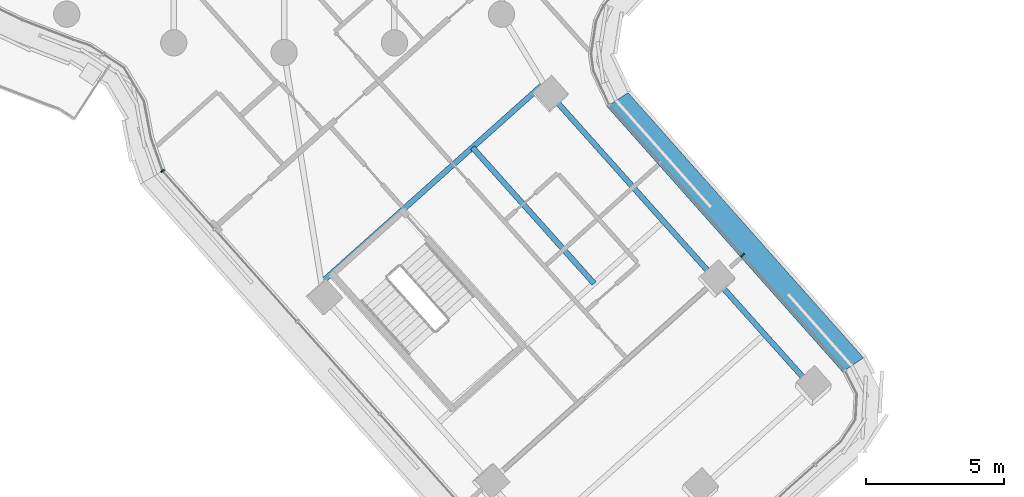
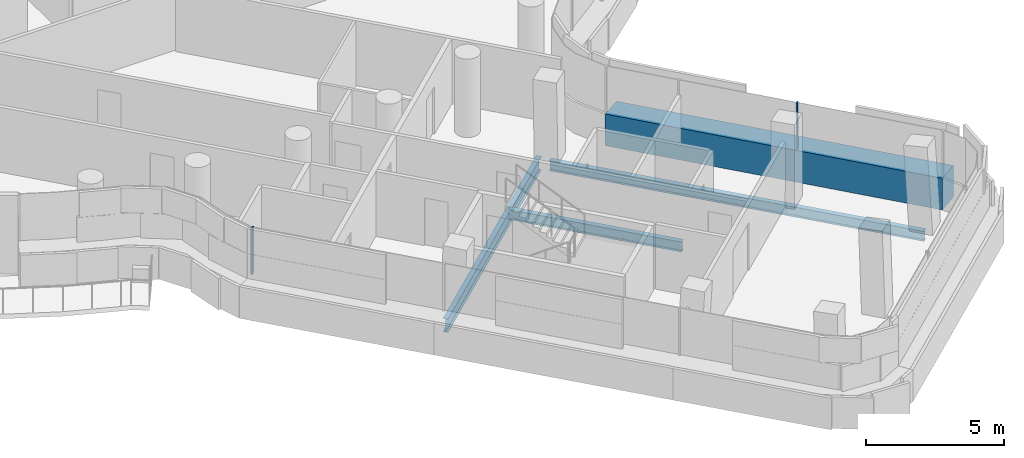
# One storey, part 5 of 33: 4 beams, 3 members, 2 elements without a shape of their own.
"""IFC4 building model written with IfcOpenShell, lengths in metres."""

from ifc_helpers import new_model, si_unit, direction, frame, origin, origin_2d, place, context, subcontext, project, spatial, polyline, rectangle, i_section, outline, extrude, material, layer, layer_set, material_profile, profile_set, type_object, element, aggregate, save


model = new_model("IFC4")

# Units and contexts
model_context = context("Model", 3, precision=1e-05, world=origin(), true_north=direction((0.0, 1.0)))
body_context = subcontext(model_context, "Body", "Model", "MODEL_VIEW")
ifc_project = project(units=[si_unit("LENGTHUNIT", "METRE"), si_unit("AREAUNIT", "SQUARE_METRE"), si_unit("VOLUMEUNIT", "CUBIC_METRE"), si_unit("PLANEANGLEUNIT", "RADIAN"), si_unit("MASSUNIT", "GRAM", prefix="KILO")], contexts=[model_context])

# Site, building, storey
site_placement = place(None, origin())
site = spatial("IfcSite", under=ifc_project, at=site_placement, CompositionType="ELEMENT")
building_placement = place(site_placement, origin())
building = spatial("IfcBuilding", under=site, at=building_placement, Name="Tamarind Cross Interchange Tower", CompositionType="ELEMENT")
storey_placement = place(building_placement, frame((0.0, 0.0, 186.10009765625)))
storey = spatial("IfcBuildingStorey", under=building, at=storey_placement, Name="L46", CompositionType="ELEMENT", Elevation=186.10009765625)

# Beams
ifc_material_1 = material(Name="Steel Q355B", Category="steel")
ifc_material_profile_1 = material_profile(ifc_material_1, i_section(OverallWidth=0.198974609375, OverallDepth=0.446044921875, WebThickness=0.008056640625, FlangeThickness=0.011962890625, FilletRadius=0.012939453125, at=origin_2d()), Name="HN 446x199x8x12")
ifc_profile_set_1 = profile_set([ifc_material_profile_1], Name="Steel Q355B")
beam_type_1 = type_object("IfcBeamType", Name="Composite beam HN 446x199x8x12 Q355B", PredefinedType="BEAM", material=ifc_profile_set_1)
beam_1_placement = place(storey_placement, frame((19.138916015625, -35.15869140625, -0.363037109375), z_axis=(-0.666424773134, 0.745572278021, 0.0), x_axis=(-0.745572278021, -0.666424773134, 0.0)))
element("IfcBeam", 1, at=beam_1_placement, inside=storey, type_object=beam_type_1, Name="Beam S-edgeep2", PredefinedType="BEAM", context=body_context, shape_type="SweptSolid", body=[
    extrude(i_section(OverallWidth=0.198974609375, OverallDepth=0.446044921875, WebThickness=0.008056640625, FlangeThickness=0.011962890625, FilletRadius=0.012939453125, at=origin_2d()), origin(), (0.0, 0.0, 1.0), 5.265380859375),
])
beam_2_placement = place(storey_placement, frame((15.6298828125, -31.23291015625, -0.363037109375), z_axis=(-0.666433989532, 0.745564039903, 0.0), x_axis=(-0.745564039903, -0.666433989532, 0.0)))
element("IfcBeam", 2, at=beam_2_placement, inside=storey, type_object=beam_type_1, Name="Beam S-edgeep3", PredefinedType="BEAM", context=body_context, shape_type="SweptSolid", body=[
    extrude(i_section(OverallWidth=0.198974609375, OverallDepth=0.446044921875, WebThickness=0.008056640625, FlangeThickness=0.011962890625, FilletRadius=0.012939453125, at=origin_2d()), origin(), (0.0, 0.0, 1.0), 8.999755859375),
])
beam_3_placement = place(storey_placement, frame((6.81591796875, -26.4365234375, -0.363037109375), z_axis=(0.666397933853, -0.745596267263, 0.0), x_axis=(0.745596267263, 0.666397933853, 0.0)))
element("IfcBeam", 3, at=beam_3_placement, inside=storey, type_object=beam_type_1, Name="Beam S-stripp", PredefinedType="BEAM", context=body_context, shape_type="SweptSolid", body=[
    extrude(i_section(OverallWidth=0.198974609375, OverallDepth=0.446044921875, WebThickness=0.008056640625, FlangeThickness=0.011962890625, FilletRadius=0.012939453125, at=origin_2d()), origin(), (0.0, 0.0, 1.0), 6.599853515625),
])
ifc_material_profile_2 = material_profile(ifc_material_1, i_section(OverallWidth=0.198974609375, OverallDepth=0.595947265625, WebThickness=0.010009765625, FlangeThickness=0.014892578125, FilletRadius=0.012939453125, at=origin_2d()), Name="HN 596x199x10x15")
ifc_profile_set_2 = profile_set([ifc_material_profile_2], Name="Steel Q355B")
beam_type_2 = type_object("IfcBeamType", Name="Composite beam HN 596x199x10x15 Q355B", PredefinedType="BEAM", material=ifc_profile_set_2)
beam_4_placement = place(storey_placement, frame((1.345458984375, -31.326171875, -0.43798828125), z_axis=(0.745573617578, 0.666423274482, 0.0), x_axis=(-0.666423274482, 0.745573617578, 0.0)))
element("IfcBeam", 4, at=beam_4_placement, inside=storey, type_object=beam_type_2, Name="Beam S-x298", PredefinedType="BEAM", context=body_context, shape_type="SweptSolid", body=[
    extrude(i_section(OverallWidth=0.198974609375, OverallDepth=0.595947265625, WebThickness=0.010009765625, FlangeThickness=0.014892578125, FilletRadius=0.012939453125, at=origin_2d()), origin(), (0.0, 0.0, 1.0), 10.7958984375),
])

# Curtain wall, member
ifc_material_2 = material(Name="Aluminium 6063-T6", Category="aluminium")
ifc_layer = layer(ifc_material_2, 0.139892578125)
ifc_layer_set = layer_set([ifc_layer], Name="Aluminium 6063-T6")
curtain_wall_type = type_object("IfcCurtainWallType", Name="Hotel curtain wall, 4.5 m bays", PredefinedType="NOTDEFINED", material=ifc_layer_set)
curtain_wall_1_placement = place(storey_placement, origin())
curtain_wall_1 = element("IfcCurtainWall", 5, at=curtain_wall_1_placement, inside=storey, type_object=curtain_wall_type, Name="CWS-L46-05", PredefinedType="NOTDEFINED")
ifc_material_3 = material(Name="Aluminium and insulated spandrel panel", Category="aluminium")
member_type_1 = type_object("IfcMemberType", Name="Floor-edge blade transom", PredefinedType="USERDEFINED", material=ifc_material_3)
member_1_placement = place(storey_placement, origin())
member_1 = element("IfcMember", 6, at=member_1_placement, type_object=member_type_1, Name="CWT-L46-05", ObjectType="TRANSOM", PredefinedType="USERDEFINED", context=body_context, shape_type="SweptSolid", body=[
    extrude(outline(polyline([(20.2119140625, -34.558349609375), (11.684814453125, -24.954833984375), (12.4453125, -24.45556640625), (20.962646484375, -34.04833984375), (20.2119140625, -34.558349609375)])), origin(), (0.0, 0.0, 1.0), 1.39990234375),
])

curtain_wall_2_placement = place(storey_placement, origin())
curtain_wall_2 = element("IfcCurtainWall", 7, at=curtain_wall_2_placement, inside=storey, type_object=curtain_wall_type, Name="CWS-L46-03", PredefinedType="NOTDEFINED")
ifc_material_profile_3 = material_profile(ifc_material_2, rectangle(XDim=0.06005859375, YDim=0.139892578125, at=origin_2d()), Name="Mullion CW2")
ifc_profile_set_3 = profile_set([ifc_material_profile_3], Name="Aluminium 6063-T6")
member_type_2 = type_object("IfcMemberType", Name="Mullion CW2", PredefinedType="MULLION", material=ifc_profile_set_3)
member_2_placement = place(storey_placement, frame((-4.39501953125, -27.286865234375, 1.39990234375), z_axis=(0.0, 0.0, 1.0), x_axis=(0.508169833705, -0.861256883927, 0.0)))
member_2 = element("IfcMember", 8, at=member_2_placement, type_object=member_type_2, Name="CWM-L46-03-00", PredefinedType="MULLION", context=body_context, shape_type="SweptSolid", body=[
    extrude(rectangle(XDim=0.06005859375, YDim=0.139892578125, at=origin_2d()), origin(), (0.0, 0.0, 1.0), 2.06005859375),
])
aggregate(curtain_wall_2, [member_2])

# Member
member_3_placement = place(storey_placement, frame((16.59423828125, -30.333251953125, 1.39990234375), z_axis=(0.0, 0.0, 1.0), x_axis=(-0.663949588874, 0.747777335464, 0.0)))
member_3 = element("IfcMember", 9, at=member_3_placement, type_object=member_type_2, Name="CWM-L46-05-01", PredefinedType="MULLION", context=body_context, shape_type="SweptSolid", body=[
    extrude(rectangle(XDim=0.06005859375, YDim=0.139892578125, at=origin_2d()), origin(), (0.0, 0.0, 1.0), 2.06005859375),
])

aggregate(curtain_wall_1, [member_3, member_1])

save(model, "model.ifc")
